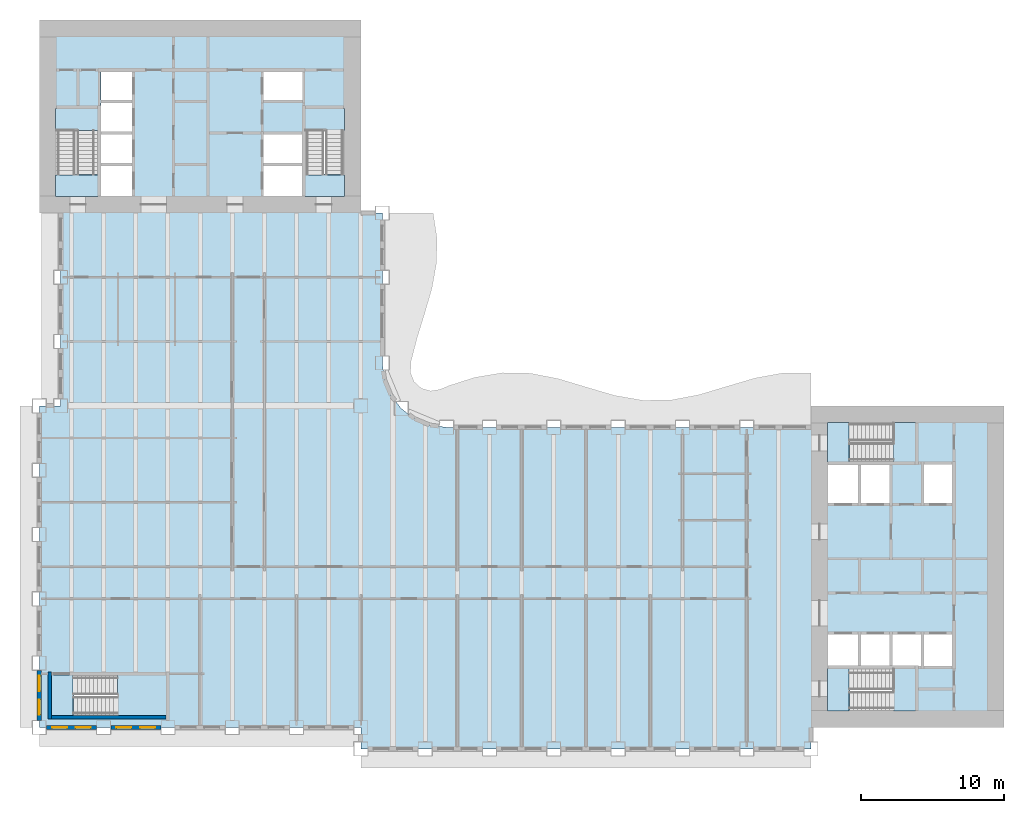
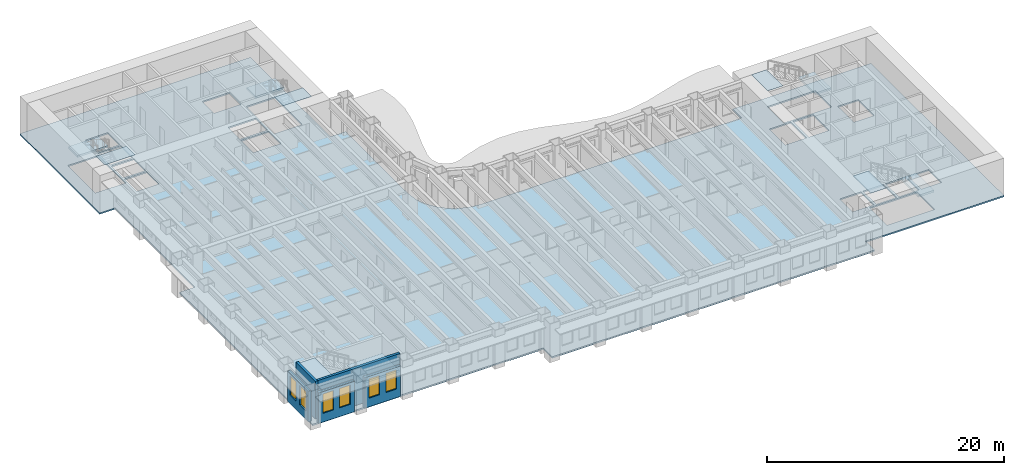
# One storey, part 2 of 16: 11 slabs, 6 windows, 5 walls, 6 openings, 5 elements without a shape of their own.
"""IFC4 building model written with IfcOpenShell, lengths in metres."""

from ifc_helpers import new_model, si_unit, direction, frame, frame_2d, origin, place, context, subcontext, project, spatial, polyline, rectangle, outline, extrude, material, layer, layer_set, type_object, element, fill, aggregate, save


model = new_model("IFC4")

# Units and contexts
model_context = context("Model", 3, precision=1e-05, world=origin(), true_north=direction((0.0, 1.0)))
body_context = subcontext(model_context, "Body", "Model", "MODEL_VIEW")
ifc_project = project(units=[si_unit("LENGTHUNIT", "METRE"), si_unit("AREAUNIT", "SQUARE_METRE"), si_unit("VOLUMEUNIT", "CUBIC_METRE"), si_unit("PLANEANGLEUNIT", "RADIAN"), si_unit("MASSUNIT", "GRAM", prefix="KILO")], contexts=[model_context])

# Site, building, storey
site_placement = place(None, origin())
site = spatial("IfcSite", under=ifc_project, at=site_placement, CompositionType="ELEMENT")
building_placement = place(site_placement, origin())
building = spatial("IfcBuilding", under=site, at=building_placement, Name="Sennacour Bend Tower", CompositionType="ELEMENT")
storey_placement = place(building_placement, frame((0.0, 0.0, 95.0)))
storey = spatial("IfcBuildingStorey", under=building, at=storey_placement, Name="L21", CompositionType="ELEMENT", Elevation=95.0)

# Slabs
ifc_material_1 = material(Name="Concrete C30/37", Category="concrete")
ifc_layer_1 = layer(ifc_material_1, 0.14990234375, Name="Concrete C30/37", Category="concrete")
ifc_layer_set_1 = layer_set([ifc_layer_1], Name="Concrete C30/37")
slab_type_1 = type_object("IfcSlabType", Name="Floor slab 150", PredefinedType="FLOOR", material=ifc_layer_set_1)
slab_1_placement = place(storey_placement, frame((0.0, 0.0, -0.14990234375)))
element("IfcSlab", 1, at=slab_1_placement, inside=storey, type_object=slab_type_1, Name="Floor slab L21-01", PredefinedType="FLOOR", context=body_context, shape_type="SweptSolid", body=[
    extrude(outline(polyline([(22.5, 0.0), (0.0, 0.0), (0.0, 22.5), (1.5, 22.5), (1.5, 36.0), (0.0, 36.0), (0.0, 49.5), (22.5, 49.5), (22.5, 36.0), (24.0, 36.0), (24.0, 25.5), (24.1533203125, 24.335205078125), (24.602783203125, 23.25), (25.318115234375, 22.318115234375), (26.25, 21.602783203125), (27.335205078125, 21.1533203125), (28.5, 21.0), (54.0, 21.0), (54.0, 22.5), (67.5, 22.5), (67.5, 0.0), (54.0, 0.0), (54.0, -1.5), (22.5, -1.5), (22.5, 0.0)]), holes=[polyline([(8.800048828125, 0.949951171875), (8.800048828125, 3.5), (2.429931640625, 3.5), (2.429931640625, 0.949951171875), (8.800048828125, 0.949951171875)]), polyline([(6.5, 37.199951171875), (6.5, 39.300048828125), (4.300048828125, 39.300048828125), (4.300048828125, 37.199951171875), (6.5, 37.199951171875)]), polyline([(18.39990234375, 37.199951171875), (18.39990234375, 39.300048828125), (15.699951171875, 39.300048828125), (15.699951171875, 37.199951171875), (18.39990234375, 37.199951171875)]), polyline([(6.5, 39.5), (6.5, 41.5), (4.300048828125, 41.5), (4.300048828125, 39.5), (6.5, 39.5)]), polyline([(18.39990234375, 39.5), (18.39990234375, 41.5), (15.699951171875, 41.5), (15.699951171875, 39.5), (18.39990234375, 39.5)]), polyline([(4.125, 38.72998046875), (4.125, 43.39990234375), (1.14990234375, 43.39990234375), (1.14990234375, 38.72998046875), (4.125, 38.72998046875)]), polyline([(21.35009765625, 38.72998046875), (21.35009765625, 43.39990234375), (18.574951171875, 43.39990234375), (18.574951171875, 38.72998046875), (21.35009765625, 38.72998046875)]), polyline([(4.300048828125, 41.699951171875), (6.5, 41.699951171875), (6.5, 43.699951171875), (4.300048828125, 43.699951171875), (4.300048828125, 41.699951171875)]), polyline([(4.300048828125, 43.89990234375), (6.5, 43.89990234375), (6.5, 45.89990234375), (4.300048828125, 45.89990234375), (4.300048828125, 43.89990234375)]), polyline([(18.39990234375, 43.89990234375), (18.39990234375, 45.89990234375), (15.699951171875, 45.89990234375), (15.699951171875, 43.89990234375), (18.39990234375, 43.89990234375)]), polyline([(61.39990234375, 1.14990234375), (61.39990234375, 4.125), (56.72998046875, 4.125), (56.72998046875, 1.14990234375), (61.39990234375, 1.14990234375)]), polyline([(57.300048828125, 4.300048828125), (57.300048828125, 6.5), (55.199951171875, 6.5), (55.199951171875, 4.300048828125), (57.300048828125, 4.300048828125)]), polyline([(57.5, 4.300048828125), (59.5, 4.300048828125), (59.5, 6.5), (57.5, 6.5), (57.5, 4.300048828125)]), polyline([(59.699951171875, 4.300048828125), (61.699951171875, 4.300048828125), (61.699951171875, 6.5), (59.699951171875, 6.5), (59.699951171875, 4.300048828125)]), polyline([(63.89990234375, 4.300048828125), (63.89990234375, 6.5), (61.89990234375, 6.5), (61.89990234375, 4.300048828125), (63.89990234375, 4.300048828125)]), polyline([(57.300048828125, 15.699951171875), (57.300048828125, 18.39990234375), (55.199951171875, 18.39990234375), (55.199951171875, 15.699951171875), (57.300048828125, 15.699951171875)]), polyline([(59.5, 15.699951171875), (59.5, 18.39990234375), (57.5, 18.39990234375), (57.5, 15.699951171875), (59.5, 15.699951171875)]), polyline([(61.89990234375, 15.699951171875), (63.89990234375, 15.699951171875), (63.89990234375, 18.39990234375), (61.89990234375, 18.39990234375), (61.89990234375, 15.699951171875)]), polyline([(56.72998046875, 18.574951171875), (61.39990234375, 18.574951171875), (61.39990234375, 21.35009765625), (56.72998046875, 21.35009765625), (56.72998046875, 18.574951171875)])]), origin(), (0.0, 0.0, 1.0), 0.14990234375),
])
ifc_material_2 = material(Name="Concrete C40/50", Category="concrete")
ifc_layer_2 = layer(ifc_material_2, 0.034912109375, Name="Concrete C40/50", Category="concrete")
ifc_layer_set_2 = layer_set([ifc_layer_2], Name="Concrete C40/50")
slab_type_2 = type_object("IfcSlabType", Name="Stair arrival nib 35", PredefinedType="FLOOR", material=ifc_layer_set_2)
slab_2_placement = place(storey_placement, frame((0.0, 0.0, 3.815185546875)))
element("IfcSlab", 2, at=slab_2_placement, inside=storey, type_object=slab_type_2, Name="L21 SA1 stair arrival nib", PredefinedType="FLOOR", context=body_context, shape_type="SweptSolid", body=[
    extrude(outline(polyline([(56.64208984375, 4.125), (55.14990234375, 4.125), (55.14990234375, 1.14990234375), (56.64208984375, 1.14990234375), (56.64208984375, 4.125)])), origin(), (0.0, 0.0, 1.0), 0.034912109375),
])
slab_3_placement = place(storey_placement, frame((0.0, 0.0, 3.815185546875)))
element("IfcSlab", 3, at=slab_3_placement, inside=storey, type_object=slab_type_2, Name="L21 SA2 stair arrival nib", PredefinedType="FLOOR", context=body_context, shape_type="SweptSolid", body=[
    extrude(outline(polyline([(56.64208984375, 21.35009765625), (55.14990234375, 21.35009765625), (55.14990234375, 18.574951171875), (56.64208984375, 18.574951171875), (56.64208984375, 21.35009765625)])), origin(), (0.0, 0.0, 1.0), 0.034912109375),
])
slab_4_placement = place(storey_placement, frame((0.0, 0.0, 3.815185546875)))
element("IfcSlab", 4, at=slab_4_placement, inside=storey, type_object=slab_type_2, Name="L21 SB1 stair arrival nib", PredefinedType="FLOOR", context=body_context, shape_type="SweptSolid", body=[
    extrude(outline(polyline([(1.14990234375, 38.64208984375), (1.14990234375, 37.14990234375), (4.125, 37.14990234375), (4.125, 38.64208984375), (1.14990234375, 38.64208984375)])), origin(), (0.0, 0.0, 1.0), 0.034912109375),
])
slab_5_placement = place(storey_placement, frame((0.0, 0.0, 3.815185546875)))
element("IfcSlab", 5, at=slab_5_placement, inside=storey, type_object=slab_type_2, Name="L21 SB2 stair arrival nib", PredefinedType="FLOOR", context=body_context, shape_type="SweptSolid", body=[
    extrude(outline(polyline([(18.574951171875, 38.64208984375), (18.574951171875, 37.14990234375), (21.35009765625, 37.14990234375), (21.35009765625, 38.64208984375), (18.574951171875, 38.64208984375)])), origin(), (0.0, 0.0, 1.0), 0.034912109375),
])
slab_6_placement = place(storey_placement, frame((0.0, 0.0, 3.815185546875)))
element("IfcSlab", 6, at=slab_6_placement, inside=storey, type_object=slab_type_2, Name="L21 SK1 stair arrival nib", PredefinedType="FLOOR", context=body_context, shape_type="SweptSolid", body=[
    extrude(outline(polyline([(2.342041015625, 3.675048828125), (0.800048828125, 3.675048828125), (0.800048828125, 0.800048828125), (2.342041015625, 0.800048828125), (2.342041015625, 3.675048828125)])), origin(), (0.0, 0.0, 1.0), 0.034912109375),
])

# Stair, slab
stair_type = type_object("IfcStairType", Name="ST-DOGLEG", PredefinedType="HALF_TURN_STAIR", material=ifc_material_2)
stair_1_placement = place(storey_placement, origin())
stair_1 = element("IfcStair", 7, at=stair_1_placement, inside=storey, type_object=stair_type, Name="L21 Exit stair A1", PredefinedType="HALF_TURN_STAIR")
ifc_layer_3 = layer(ifc_material_2, 0.199951171875, Name="Concrete C40/50", Category="concrete")
ifc_layer_set_3 = layer_set([ifc_layer_3], Name="Concrete C40/50")
slab_type_3 = type_object("IfcSlabType", Name="Stair landing 200", PredefinedType="LANDING", material=ifc_layer_set_3)
slab_7_placement = place(storey_placement, frame((0.0, 0.0, 1.800048828125)))
slab_7 = element("IfcSlab", 8, at=slab_7_placement, type_object=slab_type_3, Name="SA1 landing 1", PredefinedType="LANDING", context=body_context, shape_type="SweptSolid", body=[
    extrude(outline(polyline([(59.780029296875, 1.14990234375), (61.324951171875, 1.14990234375), (61.324951171875, 4.125), (59.780029296875, 4.125), (59.780029296875, 1.14990234375)])), origin(), (0.0, 0.0, 1.0), 0.199951171875),
])
aggregate(stair_1, [slab_7])

stair_2_placement = place(storey_placement, origin())
stair_2 = element("IfcStair", 9, at=stair_2_placement, inside=storey, type_object=stair_type, Name="L21 Exit stair A2", PredefinedType="HALF_TURN_STAIR")
slab_8_placement = place(storey_placement, frame((0.0, 0.0, 1.800048828125)))
slab_8 = element("IfcSlab", 10, at=slab_8_placement, type_object=slab_type_3, Name="SA2 landing 1", PredefinedType="LANDING", context=body_context, shape_type="SweptSolid", body=[
    extrude(outline(polyline([(59.780029296875, 18.574951171875), (61.324951171875, 18.574951171875), (61.324951171875, 21.35009765625), (59.780029296875, 21.35009765625), (59.780029296875, 18.574951171875)])), origin(), (0.0, 0.0, 1.0), 0.199951171875),
])
aggregate(stair_2, [slab_8])

stair_3_placement = place(storey_placement, origin())
stair_3 = element("IfcStair", 11, at=stair_3_placement, inside=storey, type_object=stair_type, Name="L21 Exit stair B1", PredefinedType="HALF_TURN_STAIR")
slab_9_placement = place(storey_placement, frame((0.0, 0.0, 1.800048828125)))
slab_9 = element("IfcSlab", 12, at=slab_9_placement, type_object=slab_type_3, Name="SB1 landing 1", PredefinedType="LANDING", context=body_context, shape_type="SweptSolid", body=[
    extrude(outline(polyline([(1.14990234375, 41.780029296875), (4.125, 41.780029296875), (4.125, 43.324951171875), (1.14990234375, 43.324951171875), (1.14990234375, 41.780029296875)])), origin(), (0.0, 0.0, 1.0), 0.199951171875),
])
aggregate(stair_3, [slab_9])

stair_4_placement = place(storey_placement, origin())
stair_4 = element("IfcStair", 13, at=stair_4_placement, inside=storey, type_object=stair_type, Name="L21 Exit stair B2", PredefinedType="HALF_TURN_STAIR")
slab_10_placement = place(storey_placement, frame((0.0, 0.0, 1.800048828125)))
slab_10 = element("IfcSlab", 14, at=slab_10_placement, type_object=slab_type_3, Name="SB2 landing 1", PredefinedType="LANDING", context=body_context, shape_type="SweptSolid", body=[
    extrude(outline(polyline([(18.574951171875, 41.780029296875), (21.35009765625, 41.780029296875), (21.35009765625, 43.324951171875), (18.574951171875, 43.324951171875), (18.574951171875, 41.780029296875)])), origin(), (0.0, 0.0, 1.0), 0.199951171875),
])
aggregate(stair_4, [slab_10])

stair_5_placement = place(storey_placement, origin())
stair_5 = element("IfcStair", 15, at=stair_5_placement, inside=storey, type_object=stair_type, Name="L21 Exit stair K1", PredefinedType="HALF_TURN_STAIR")
slab_11_placement = place(storey_placement, frame((0.0, 0.0, 1.800048828125)))
slab_11 = element("IfcSlab", 16, at=slab_11_placement, type_object=slab_type_3, Name="SK1 landing 1", PredefinedType="LANDING", context=body_context, shape_type="SweptSolid", body=[
    extrude(outline(polyline([(5.47998046875, 0.800048828125), (8.925048828125, 0.800048828125), (8.925048828125, 3.675048828125), (5.47998046875, 3.675048828125), (5.47998046875, 0.800048828125)])), origin(), (0.0, 0.0, 1.0), 0.199951171875),
])
aggregate(stair_5, [slab_11])

# Wall, openings, windows
ifc_material_3 = material(Name="Warm limestone cladding", Category="masonry")
ifc_layer_4 = layer(ifc_material_3, 0.050048828125, Name="Warm limestone cladding", Category="masonry")
ifc_material_4 = material(Name="Precast concrete C40/50", Category="concrete")
ifc_layer_5 = layer(ifc_material_4, 0.25, Name="Precast concrete C40/50", Category="concrete")
ifc_layer_set_4 = layer_set([ifc_layer_4, ifc_layer_5], Name="Precast concrete C40/50 with limestone cladding")
wall_type_1 = type_object("IfcWallType", Name="STONE-CLAD PRECAST SPANDREL 300", PredefinedType="STANDARD", material=ifc_layer_set_4)
wall_1_placement = place(storey_placement, frame((0.0, 4.0, 0.0), z_axis=(0.0, 0.0, 1.0), x_axis=(0.0, -1.0, 0.0)))
wall_1 = element("IfcWall", 17, at=wall_1_placement, inside=storey, type_object=wall_type_1, Name="Stone spandrel and pier wall L21 21.04", PredefinedType="STANDARD", context=body_context, shape_type="SweptSolid", body=[
    extrude(rectangle(XDim=3.5, YDim=0.300048828125, at=frame_2d((1.75, 0.0))), origin(), (0.0, 0.0, 1.0), 3.154052734375),
])
opening_1_placement = place(wall_1_placement, frame((0.39990234375, 0.0, 0.89990234375)))
opening_1 = element("IfcOpeningElement", 18, at=opening_1_placement, cuts=wall_1, Name="Opening W13", PredefinedType="OPENING", context=body_context, shape_type="SweptSolid", body=[
    extrude(rectangle(XDim=1.050048828125, YDim=2.0, at=frame_2d((0.52490234375, 1.0))), frame((0.0, 0.16015625, 0.0), z_axis=(0.0, -1.0, 0.0), x_axis=(1.0, 0.0, 0.0)), (0.0, 0.0, 1.0), 0.320068359375),
])
opening_2_placement = place(wall_1_placement, frame((2.050048828125, 0.0, 0.89990234375)))
opening_2 = element("IfcOpeningElement", 19, at=opening_2_placement, cuts=wall_1, Name="Opening W13", PredefinedType="OPENING", context=body_context, shape_type="SweptSolid", body=[
    extrude(rectangle(XDim=1.050048828125, YDim=2.0, at=frame_2d((0.52490234375, 1.0))), frame((0.0, 0.16015625, 0.0), z_axis=(0.0, -1.0, 0.0), x_axis=(1.0, 0.0, 0.0)), (0.0, 0.0, 1.0), 0.320068359375),
])
ifc_material_5 = material(Name="Clear low-emissivity glass", Category="glass")
window_type = type_object("IfcWindowType", Name="WIN-RIBBON-1050x2000", PartitioningType="SINGLE_PANEL", PredefinedType="WINDOW", material=ifc_material_5)
window_1_placement = place(opening_1_placement, origin())
window_1 = element("IfcWindow", 20, at=window_1_placement, inside=storey, type_object=window_type, Name="Ribbon window L21 21.04.0", OverallHeight=2.0, OverallWidth=1.050048828125, PartitioningType="SINGLE_PANEL", PredefinedType="WINDOW", context=body_context, shape_type="SweptSolid", body=[
    extrude(rectangle(XDim=1.050048828125, YDim=2.0, at=frame_2d((0.52490234375, 1.0))), frame((0.0, 0.030029296875, 0.0), z_axis=(0.0, -1.0, 0.0), x_axis=(1.0, 0.0, 0.0)), (0.0, 0.0, 1.0), 0.06005859375),
])
fill(opening_1, window_1)
window_2_placement = place(opening_2_placement, origin())
window_2 = element("IfcWindow", 21, at=window_2_placement, inside=storey, type_object=window_type, Name="Ribbon window L21 21.04.1", OverallHeight=2.0, OverallWidth=1.050048828125, PartitioningType="SINGLE_PANEL", PredefinedType="WINDOW", context=body_context, shape_type="SweptSolid", body=[
    extrude(rectangle(XDim=1.050048828125, YDim=2.0, at=frame_2d((0.52490234375, 1.0))), frame((0.0, 0.030029296875, 0.0), z_axis=(0.0, -1.0, 0.0), x_axis=(1.0, 0.0, 0.0)), (0.0, 0.0, 1.0), 0.06005859375),
])
fill(opening_2, window_2)

wall_2_placement = place(storey_placement, frame((0.5, 0.0, 0.0), z_axis=(0.0, 0.0, 1.0), x_axis=(1.0, 0.0, 0.0)))
wall_2 = element("IfcWall", 22, at=wall_2_placement, inside=storey, type_object=wall_type_1, Name="Stone spandrel and pier wall L21 22.00", PredefinedType="STANDARD", context=body_context, shape_type="SweptSolid", body=[
    extrude(rectangle(XDim=3.5, YDim=0.300048828125, at=frame_2d((1.75, 0.0))), origin(), (0.0, 0.0, 1.0), 3.154052734375),
])
opening_3_placement = place(wall_2_placement, frame((0.39990234375, 0.0, 0.89990234375)))
opening_3 = element("IfcOpeningElement", 23, at=opening_3_placement, cuts=wall_2, Name="Opening W13", PredefinedType="OPENING", context=body_context, shape_type="SweptSolid", body=[
    extrude(rectangle(XDim=1.050048828125, YDim=2.0, at=frame_2d((0.52490234375, 1.0))), frame((0.0, 0.16015625, 0.0), z_axis=(0.0, -1.0, 0.0), x_axis=(1.0, 0.0, 0.0)), (0.0, 0.0, 1.0), 0.320068359375),
])
opening_4_placement = place(wall_2_placement, frame((2.050048828125, 0.0, 0.89990234375)))
opening_4 = element("IfcOpeningElement", 24, at=opening_4_placement, cuts=wall_2, Name="Opening W13", PredefinedType="OPENING", context=body_context, shape_type="SweptSolid", body=[
    extrude(rectangle(XDim=1.050048828125, YDim=2.0, at=frame_2d((0.52490234375, 1.0))), frame((0.0, 0.16015625, 0.0), z_axis=(0.0, -1.0, 0.0), x_axis=(1.0, 0.0, 0.0)), (0.0, 0.0, 1.0), 0.320068359375),
])
window_3_placement = place(opening_3_placement, origin())
window_3 = element("IfcWindow", 25, at=window_3_placement, inside=storey, type_object=window_type, Name="Ribbon window L21 22.00.0", OverallHeight=2.0, OverallWidth=1.050048828125, PartitioningType="SINGLE_PANEL", PredefinedType="WINDOW", context=body_context, shape_type="SweptSolid", body=[
    extrude(rectangle(XDim=1.050048828125, YDim=2.0, at=frame_2d((0.52490234375, 1.0))), frame((0.0, 0.030029296875, 0.0), z_axis=(0.0, -1.0, 0.0), x_axis=(1.0, 0.0, 0.0)), (0.0, 0.0, 1.0), 0.06005859375),
])
fill(opening_3, window_3)
window_4_placement = place(opening_4_placement, origin())
window_4 = element("IfcWindow", 26, at=window_4_placement, inside=storey, type_object=window_type, Name="Ribbon window L21 22.00.1", OverallHeight=2.0, OverallWidth=1.050048828125, PartitioningType="SINGLE_PANEL", PredefinedType="WINDOW", context=body_context, shape_type="SweptSolid", body=[
    extrude(rectangle(XDim=1.050048828125, YDim=2.0, at=frame_2d((0.52490234375, 1.0))), frame((0.0, 0.030029296875, 0.0), z_axis=(0.0, -1.0, 0.0), x_axis=(1.0, 0.0, 0.0)), (0.0, 0.0, 1.0), 0.06005859375),
])
fill(opening_4, window_4)

wall_3_placement = place(storey_placement, frame((5.0, 0.0, 0.0), z_axis=(0.0, 0.0, 1.0), x_axis=(1.0, 0.0, 0.0)))
wall_3 = element("IfcWall", 27, at=wall_3_placement, inside=storey, type_object=wall_type_1, Name="Stone spandrel and pier wall L21 22.01", PredefinedType="STANDARD", context=body_context, shape_type="SweptSolid", body=[
    extrude(rectangle(XDim=3.5, YDim=0.300048828125, at=frame_2d((1.75, 0.0))), origin(), (0.0, 0.0, 1.0), 3.154052734375),
])
opening_5_placement = place(wall_3_placement, frame((0.39990234375, 0.0, 0.89990234375)))
opening_5 = element("IfcOpeningElement", 28, at=opening_5_placement, cuts=wall_3, Name="Opening W13", PredefinedType="OPENING", context=body_context, shape_type="SweptSolid", body=[
    extrude(rectangle(XDim=1.050048828125, YDim=2.0, at=frame_2d((0.52490234375, 1.0))), frame((0.0, 0.16015625, 0.0), z_axis=(0.0, -1.0, 0.0), x_axis=(1.0, 0.0, 0.0)), (0.0, 0.0, 1.0), 0.320068359375),
])
opening_6_placement = place(wall_3_placement, frame((2.050048828125, 0.0, 0.89990234375)))
opening_6 = element("IfcOpeningElement", 29, at=opening_6_placement, cuts=wall_3, Name="Opening W13", PredefinedType="OPENING", context=body_context, shape_type="SweptSolid", body=[
    extrude(rectangle(XDim=1.050048828125, YDim=2.0, at=frame_2d((0.52490234375, 1.0))), frame((0.0, 0.16015625, 0.0), z_axis=(0.0, -1.0, 0.0), x_axis=(1.0, 0.0, 0.0)), (0.0, 0.0, 1.0), 0.320068359375),
])
window_5_placement = place(opening_5_placement, origin())
window_5 = element("IfcWindow", 30, at=window_5_placement, inside=storey, type_object=window_type, Name="Ribbon window L21 22.01.0", OverallHeight=2.0, OverallWidth=1.050048828125, PartitioningType="SINGLE_PANEL", PredefinedType="WINDOW", context=body_context, shape_type="SweptSolid", body=[
    extrude(rectangle(XDim=1.050048828125, YDim=2.0, at=frame_2d((0.52490234375, 1.0))), frame((0.0, 0.030029296875, 0.0), z_axis=(0.0, -1.0, 0.0), x_axis=(1.0, 0.0, 0.0)), (0.0, 0.0, 1.0), 0.06005859375),
])
fill(opening_5, window_5)
window_6_placement = place(opening_6_placement, origin())
window_6 = element("IfcWindow", 31, at=window_6_placement, inside=storey, type_object=window_type, Name="Ribbon window L21 22.01.1", OverallHeight=2.0, OverallWidth=1.050048828125, PartitioningType="SINGLE_PANEL", PredefinedType="WINDOW", context=body_context, shape_type="SweptSolid", body=[
    extrude(rectangle(XDim=1.050048828125, YDim=2.0, at=frame_2d((0.52490234375, 1.0))), frame((0.0, 0.030029296875, 0.0), z_axis=(0.0, -1.0, 0.0), x_axis=(1.0, 0.0, 0.0)), (0.0, 0.0, 1.0), 0.06005859375),
])
fill(opening_6, window_6)

# Walls
ifc_material_6 = material(Name="Concrete C60/75", Category="concrete")
ifc_layer_6 = layer(ifc_material_6, 0.25, Name="Concrete C60/75", Category="concrete")
ifc_layer_set_5 = layer_set([ifc_layer_6], Name="Concrete C60/75")
wall_type_2 = type_object("IfcWallType", Name="Stair wall 250", PredefinedType="SHEAR", material=ifc_layer_set_5)
wall_4_placement = place(storey_placement, frame((0.72509765625, 0.60009765625, 0.0), z_axis=(0.0, 0.0, 1.0), x_axis=(0.0, 1.0, 0.0)))
element("IfcWall", 32, at=wall_4_placement, inside=storey, type_object=wall_type_2, Name="P-L21-W002", PredefinedType="SHEAR", context=body_context, shape_type="SweptSolid", body=[
    extrude(rectangle(XDim=3.27490234375, YDim=0.25, at=frame_2d((1.637451171875, 0.0))), origin(), (0.0, 0.0, 1.0), 3.85009765625),
])
wall_5_placement = place(storey_placement, frame((0.85009765625, 0.72509765625, 0.0), z_axis=(0.0, 0.0, 1.0), x_axis=(1.0, 0.0, 0.0)))
element("IfcWall", 33, at=wall_5_placement, inside=storey, type_object=wall_type_2, Name="P-L21-W050", PredefinedType="SHEAR", context=body_context, shape_type="SweptSolid", body=[
    extrude(rectangle(XDim=8.02490234375, YDim=0.25, at=frame_2d((4.012451171875, 0.0))), origin(), (0.0, 0.0, 1.0), 3.85009765625),
])

save(model, "model.ifc")
